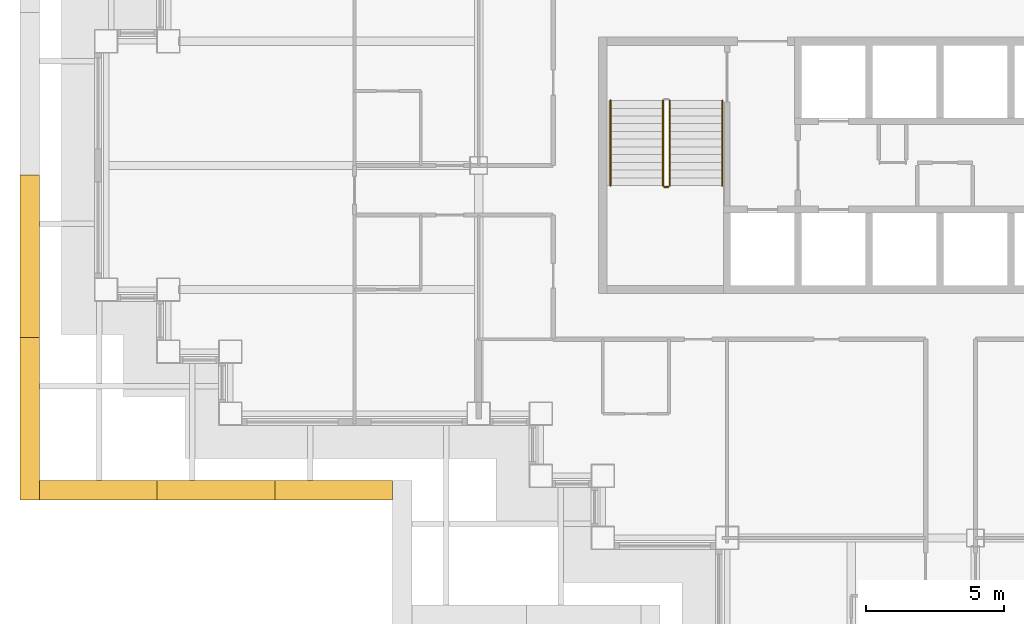
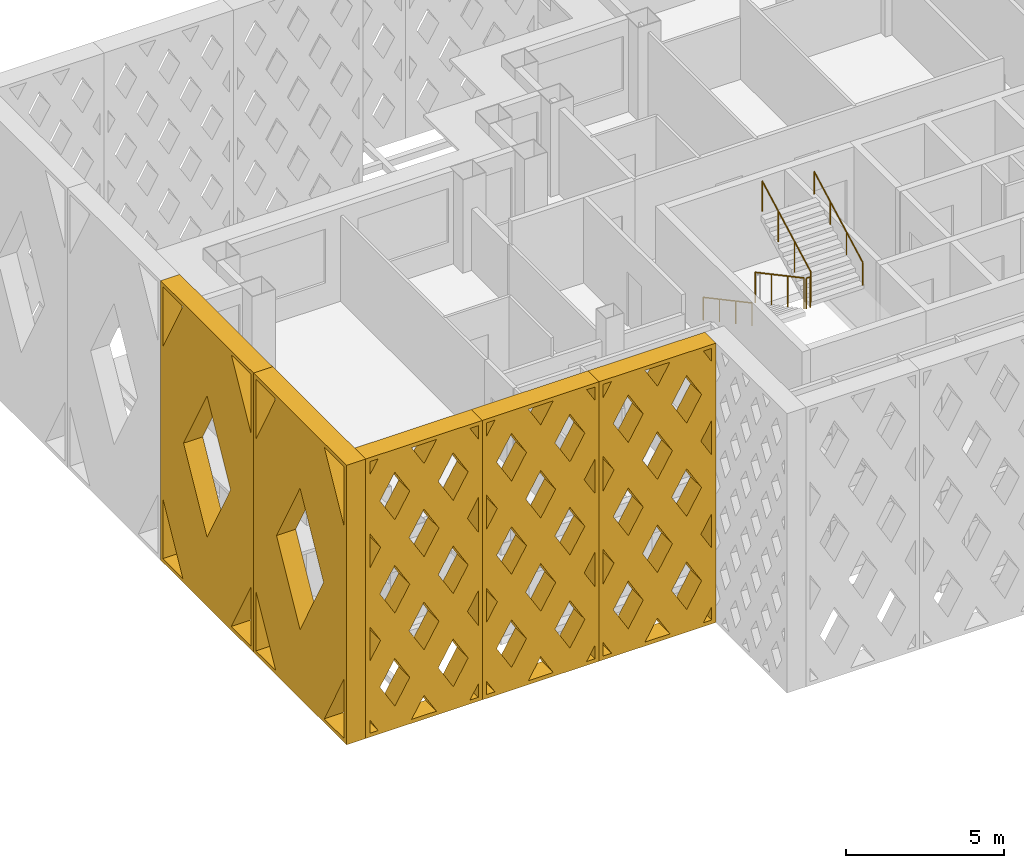
# One storey, part 16 of 21: 5 railings, 5 shading devices.
"""IFC4 building model written with IfcOpenShell, lengths in metres."""

from ifc_helpers import new_model, si_unit, direction, frame, origin, origin_2d, place, context, subcontext, project, spatial, polyline, circle, outline, extrude, material, type_object, element, save


model = new_model("IFC4")

# Units and contexts
model_context = context("Model", 3, precision=1e-05, world=origin(), true_north=direction((0.0, 1.0)))
body_context = subcontext(model_context, "Body", "Model", "MODEL_VIEW")
ifc_project = project(units=[si_unit("LENGTHUNIT", "METRE"), si_unit("AREAUNIT", "SQUARE_METRE"), si_unit("VOLUMEUNIT", "CUBIC_METRE"), si_unit("PLANEANGLEUNIT", "RADIAN"), si_unit("MASSUNIT", "GRAM", prefix="KILO")], contexts=[model_context])

# Site, building, storey
site_placement = place(None, origin())
site = spatial("IfcSite", under=ifc_project, at=site_placement, CompositionType="ELEMENT")
building_placement = place(site_placement, origin())
building = spatial("IfcBuilding", under=site, at=building_placement, Name="Caravel Reach Hotel and Residences", CompositionType="ELEMENT")
storey_placement = place(building_placement, frame((0.0, 0.0, 129.60009765625)))
storey = spatial("IfcBuildingStorey", under=building, at=storey_placement, Name="L32", CompositionType="ELEMENT", Elevation=129.60009765625)

# Shading devices
ifc_material_1 = material(Name="Black powder-coated aluminium", Category="aluminium")
shading_device_type_1 = type_object("IfcShadingDeviceType", Name="Diamond lattice screen panel 4267 x 10800", PredefinedType="USERDEFINED", material=ifc_material_1)
shading_device_1_placement = place(storey_placement, frame((-2.425048828125, 15.574951171875, 0.0), z_axis=(0.0, -1.0, 0.0), x_axis=(1.0, 0.0, 0.0)))
element("IfcShadingDevice", 1, at=shading_device_1_placement, inside=storey, type_object=shading_device_type_1, Name="Lattice screen L32-L34 18.1", ObjectType="SCREEN", PredefinedType="USERDEFINED", context=body_context, shape_type="SweptSolid", body=[
    extrude(outline(polyline([(0.0, 0.0), (4.2666015625, 0.0), (4.2666015625, 10.800048828125), (0.0, 10.800048828125), (0.0, 0.0)]), holes=[polyline([(0.457275390625, 0.14990234375), (0.14990234375, 0.66845703125), (0.14990234375, 0.14990234375), (0.457275390625, 0.14990234375)]), polyline([(0.546142578125, 3.60009765625), (0.14990234375, 4.2685546875), (0.14990234375, 2.931396484375), (0.546142578125, 3.60009765625)]), polyline([(0.546142578125, 7.199951171875), (0.14990234375, 7.868408203125), (0.14990234375, 6.531494140625), (0.546142578125, 7.199951171875)]), polyline([(0.14990234375, 10.131591796875), (0.457275390625, 10.64990234375), (0.14990234375, 10.64990234375), (0.14990234375, 10.131591796875)]), polyline([(1.066650390625, 2.7216796875), (0.5205078125, 1.800048828125), (1.066650390625, 0.87841796875), (1.61279296875, 1.800048828125), (1.066650390625, 2.7216796875)]), polyline([(1.066650390625, 6.321533203125), (0.5205078125, 5.39990234375), (1.066650390625, 4.478271484375), (1.61279296875, 5.39990234375), (1.066650390625, 6.321533203125)]), polyline([(1.066650390625, 9.921630859375), (0.5205078125, 9.0), (1.066650390625, 8.078369140625), (1.61279296875, 9.0), (1.066650390625, 9.921630859375)]), polyline([(2.13330078125, 0.921630859375), (1.676025390625, 0.14990234375), (2.590576171875, 0.14990234375), (2.13330078125, 0.921630859375)]), polyline([(2.13330078125, 4.521728515625), (1.587158203125, 3.60009765625), (2.13330078125, 2.678466796875), (2.679443359375, 3.60009765625), (2.13330078125, 4.521728515625)]), polyline([(2.13330078125, 8.12158203125), (1.587158203125, 7.199951171875), (2.13330078125, 6.2783203125), (2.679443359375, 7.199951171875), (2.13330078125, 8.12158203125)]), polyline([(2.13330078125, 9.87841796875), (2.590576171875, 10.64990234375), (1.676025390625, 10.64990234375), (2.13330078125, 9.87841796875)]), polyline([(3.199951171875, 2.7216796875), (2.65380859375, 1.800048828125), (3.199951171875, 0.87841796875), (3.74609375, 1.800048828125), (3.199951171875, 2.7216796875)]), polyline([(3.199951171875, 6.321533203125), (2.65380859375, 5.39990234375), (3.199951171875, 4.478271484375), (3.74609375, 5.39990234375), (3.199951171875, 6.321533203125)]), polyline([(3.199951171875, 9.921630859375), (2.65380859375, 9.0), (3.199951171875, 8.078369140625), (3.74609375, 9.0), (3.199951171875, 9.921630859375)]), polyline([(4.11669921875, 0.66845703125), (3.809326171875, 0.14990234375), (4.11669921875, 0.14990234375), (4.11669921875, 0.66845703125)]), polyline([(3.720458984375, 3.60009765625), (4.11669921875, 2.931396484375), (4.11669921875, 4.2685546875), (3.720458984375, 3.60009765625)]), polyline([(3.720458984375, 7.199951171875), (4.11669921875, 6.531494140625), (4.11669921875, 7.868408203125), (3.720458984375, 7.199951171875)]), polyline([(3.809326171875, 10.64990234375), (4.11669921875, 10.131591796875), (4.11669921875, 10.64990234375), (3.809326171875, 10.64990234375)])]), origin(), (0.0, 0.0, 1.0), 0.699951171875),
])
shading_device_2_placement = place(storey_placement, frame((1.841552734375, 15.574951171875, 0.0), z_axis=(0.0, -1.0, 0.0), x_axis=(1.0, 0.0, 0.0)))
element("IfcShadingDevice", 2, at=shading_device_2_placement, inside=storey, type_object=shading_device_type_1, Name="Lattice screen L32-L34 18.2", ObjectType="SCREEN", PredefinedType="USERDEFINED", context=body_context, shape_type="SweptSolid", body=[
    extrude(outline(polyline([(0.0, 0.0), (4.2666015625, 0.0), (4.2666015625, 10.800048828125), (0.0, 10.800048828125), (0.0, 0.0)]), holes=[polyline([(0.457275390625, 0.14990234375), (0.14990234375, 0.66845703125), (0.14990234375, 0.14990234375), (0.457275390625, 0.14990234375)]), polyline([(0.546142578125, 3.60009765625), (0.14990234375, 4.2685546875), (0.14990234375, 2.931396484375), (0.546142578125, 3.60009765625)]), polyline([(0.546142578125, 7.199951171875), (0.14990234375, 7.868408203125), (0.14990234375, 6.531494140625), (0.546142578125, 7.199951171875)]), polyline([(0.14990234375, 10.131591796875), (0.457275390625, 10.64990234375), (0.14990234375, 10.64990234375), (0.14990234375, 10.131591796875)]), polyline([(1.066650390625, 2.7216796875), (0.5205078125, 1.800048828125), (1.066650390625, 0.87841796875), (1.61279296875, 1.800048828125), (1.066650390625, 2.7216796875)]), polyline([(1.066650390625, 6.321533203125), (0.5205078125, 5.39990234375), (1.066650390625, 4.478271484375), (1.61279296875, 5.39990234375), (1.066650390625, 6.321533203125)]), polyline([(1.066650390625, 9.921630859375), (0.5205078125, 9.0), (1.066650390625, 8.078369140625), (1.61279296875, 9.0), (1.066650390625, 9.921630859375)]), polyline([(2.13330078125, 0.921630859375), (1.676025390625, 0.14990234375), (2.590576171875, 0.14990234375), (2.13330078125, 0.921630859375)]), polyline([(2.13330078125, 4.521728515625), (1.587158203125, 3.60009765625), (2.13330078125, 2.678466796875), (2.679443359375, 3.60009765625), (2.13330078125, 4.521728515625)]), polyline([(2.13330078125, 8.12158203125), (1.587158203125, 7.199951171875), (2.13330078125, 6.2783203125), (2.679443359375, 7.199951171875), (2.13330078125, 8.12158203125)]), polyline([(2.13330078125, 9.87841796875), (2.590576171875, 10.64990234375), (1.676025390625, 10.64990234375), (2.13330078125, 9.87841796875)]), polyline([(3.199951171875, 2.7216796875), (2.65380859375, 1.800048828125), (3.199951171875, 0.87841796875), (3.74609375, 1.800048828125), (3.199951171875, 2.7216796875)]), polyline([(3.199951171875, 6.321533203125), (2.65380859375, 5.39990234375), (3.199951171875, 4.478271484375), (3.74609375, 5.39990234375), (3.199951171875, 6.321533203125)]), polyline([(3.199951171875, 9.921630859375), (2.65380859375, 9.0), (3.199951171875, 8.078369140625), (3.74609375, 9.0), (3.199951171875, 9.921630859375)]), polyline([(4.11669921875, 0.66845703125), (3.809326171875, 0.14990234375), (4.11669921875, 0.14990234375), (4.11669921875, 0.66845703125)]), polyline([(3.720458984375, 3.60009765625), (4.11669921875, 2.931396484375), (4.11669921875, 4.2685546875), (3.720458984375, 3.60009765625)]), polyline([(3.720458984375, 7.199951171875), (4.11669921875, 6.531494140625), (4.11669921875, 7.868408203125), (3.720458984375, 7.199951171875)]), polyline([(3.809326171875, 10.64990234375), (4.11669921875, 10.131591796875), (4.11669921875, 10.64990234375), (3.809326171875, 10.64990234375)])]), origin(), (0.0, 0.0, 1.0), 0.699951171875),
])
shading_device_3_placement = place(storey_placement, frame((6.1083984375, 15.574951171875, 0.0), z_axis=(0.0, -1.0, 0.0), x_axis=(1.0, 0.0, 0.0)))
element("IfcShadingDevice", 3, at=shading_device_3_placement, inside=storey, type_object=shading_device_type_1, Name="Lattice screen L32-L34 18.3", ObjectType="SCREEN", PredefinedType="USERDEFINED", context=body_context, shape_type="SweptSolid", body=[
    extrude(outline(polyline([(0.0, 0.0), (4.2666015625, 0.0), (4.2666015625, 10.800048828125), (0.0, 10.800048828125), (0.0, 0.0)]), holes=[polyline([(0.457275390625, 0.14990234375), (0.14990234375, 0.66845703125), (0.14990234375, 0.14990234375), (0.457275390625, 0.14990234375)]), polyline([(0.546142578125, 3.60009765625), (0.14990234375, 4.2685546875), (0.14990234375, 2.931396484375), (0.546142578125, 3.60009765625)]), polyline([(0.546142578125, 7.199951171875), (0.14990234375, 7.868408203125), (0.14990234375, 6.531494140625), (0.546142578125, 7.199951171875)]), polyline([(0.14990234375, 10.131591796875), (0.457275390625, 10.64990234375), (0.14990234375, 10.64990234375), (0.14990234375, 10.131591796875)]), polyline([(1.066650390625, 2.7216796875), (0.5205078125, 1.800048828125), (1.066650390625, 0.87841796875), (1.61279296875, 1.800048828125), (1.066650390625, 2.7216796875)]), polyline([(1.066650390625, 6.321533203125), (0.5205078125, 5.39990234375), (1.066650390625, 4.478271484375), (1.61279296875, 5.39990234375), (1.066650390625, 6.321533203125)]), polyline([(1.066650390625, 9.921630859375), (0.5205078125, 9.0), (1.066650390625, 8.078369140625), (1.61279296875, 9.0), (1.066650390625, 9.921630859375)]), polyline([(2.13330078125, 0.921630859375), (1.676025390625, 0.14990234375), (2.590576171875, 0.14990234375), (2.13330078125, 0.921630859375)]), polyline([(2.13330078125, 4.521728515625), (1.587158203125, 3.60009765625), (2.13330078125, 2.678466796875), (2.679443359375, 3.60009765625), (2.13330078125, 4.521728515625)]), polyline([(2.13330078125, 8.12158203125), (1.587158203125, 7.199951171875), (2.13330078125, 6.2783203125), (2.679443359375, 7.199951171875), (2.13330078125, 8.12158203125)]), polyline([(2.13330078125, 9.87841796875), (2.590576171875, 10.64990234375), (1.676025390625, 10.64990234375), (2.13330078125, 9.87841796875)]), polyline([(3.199951171875, 2.7216796875), (2.65380859375, 1.800048828125), (3.199951171875, 0.87841796875), (3.74609375, 1.800048828125), (3.199951171875, 2.7216796875)]), polyline([(3.199951171875, 6.321533203125), (2.65380859375, 5.39990234375), (3.199951171875, 4.478271484375), (3.74609375, 5.39990234375), (3.199951171875, 6.321533203125)]), polyline([(3.199951171875, 9.921630859375), (2.65380859375, 9.0), (3.199951171875, 8.078369140625), (3.74609375, 9.0), (3.199951171875, 9.921630859375)]), polyline([(4.11669921875, 0.66845703125), (3.809326171875, 0.14990234375), (4.11669921875, 0.14990234375), (4.11669921875, 0.66845703125)]), polyline([(3.720458984375, 3.60009765625), (4.11669921875, 2.931396484375), (4.11669921875, 4.2685546875), (3.720458984375, 3.60009765625)]), polyline([(3.720458984375, 7.199951171875), (4.11669921875, 6.531494140625), (4.11669921875, 7.868408203125), (3.720458984375, 7.199951171875)]), polyline([(3.809326171875, 10.64990234375), (4.11669921875, 10.131591796875), (4.11669921875, 10.64990234375), (3.809326171875, 10.64990234375)])]), origin(), (0.0, 0.0, 1.0), 0.699951171875),
])
ifc_material_2 = material(Name="Black powder-coated aluminium", Category="aluminium")
shading_device_type_2 = type_object("IfcShadingDeviceType", Name="Diamond lattice screen panel 5887 x 10800", PredefinedType="USERDEFINED", material=ifc_material_2)
for number, where, z_axis, x_axis, name in (
    (4, (-2.425048828125, 26.64990234375, 0.0), (-1.0, 0.0, 0.0), (0.0, -1.0, 0.0), "Lattice screen L32-L34 17.3"),
    (5, (-2.425048828125, 20.762451171875, 0.0), (-1.0, 0.0, 0.0), (0.0, -1.0, 0.0), "Lattice screen L32-L34 17.4"),
):
    element("IfcShadingDevice", number, at=place(storey_placement, frame(where, z_axis=z_axis, x_axis=x_axis)), inside=storey, type_object=shading_device_type_2, Name=name, ObjectType="SCREEN", PredefinedType="USERDEFINED", context=body_context, shape_type="SweptSolid", body=[
        extrude(outline(polyline([(0.0, 0.0), (5.887451171875, 0.0), (5.887451171875, 10.800048828125), (0.0, 10.800048828125), (0.0, 0.0)]), holes=[polyline([(1.409912109375, 0.14990234375), (0.14990234375, 2.46142578125), (0.14990234375, 0.14990234375), (1.409912109375, 0.14990234375)]), polyline([(0.14990234375, 8.338623046875), (1.409912109375, 10.64990234375), (0.14990234375, 10.64990234375), (0.14990234375, 8.338623046875)]), polyline([(2.94384765625, 8.136474609375), (1.451904296875, 5.39990234375), (2.94384765625, 2.66357421875), (4.435546875, 5.39990234375), (2.94384765625, 8.136474609375)]), polyline([(5.737548828125, 2.46142578125), (4.4775390625, 0.14990234375), (5.737548828125, 0.14990234375), (5.737548828125, 2.46142578125)]), polyline([(4.4775390625, 10.64990234375), (5.737548828125, 8.338623046875), (5.737548828125, 10.64990234375), (4.4775390625, 10.64990234375)])]), origin(), (0.0, 0.0, 1.0), 0.699951171875),
    ])

# Railings
ifc_material_3 = material(Name="Steel balustrade with glass infill", Category="steel")
railing_type_1 = type_object("IfcRailingType", Name="Guard 1200", PredefinedType="GUARDRAIL", material=ifc_material_3)
railing_1_placement = place(storey_placement, frame((20.175048828125, 29.35009765625, 0.14990234375)))
element("IfcRailing", 6, at=railing_1_placement, inside=storey, type_object=railing_type_1, Name="L32 ST-A stair guard 1", PredefinedType="GUARDRAIL", context=body_context, shape_type="SweptSolid", body=[
    extrude(circle(Radius=0.02392578125, at=origin_2d()), frame((0.0, 0.0, 1.17578125), z_axis=(0.0, -0.881496589024, 0.472190389079), x_axis=(1.0, 0.0, 0.0)), (0.0, 0.0, 1.0), 3.494140625),
    extrude(circle(Radius=0.02099609375, at=origin_2d()), origin(), (0.0, 0.0, 1.0), 1.15185546875),
    extrude(circle(Radius=0.02099609375, at=origin_2d()), frame((0.0, -1.026611328125, 0.550048828125)), (0.0, 0.0, 1.0), 1.15185546875),
    extrude(circle(Radius=0.02099609375, at=origin_2d()), frame((0.0, -2.053466796875, 1.099853515625)), (0.0, 0.0, 1.0), 1.15185546875),
    extrude(circle(Radius=0.02099609375, at=origin_2d()), frame((0.0, -3.080078125, 1.64990234375)), (0.0, 0.0, 1.0), 1.15185546875),
])
railing_2_placement = place(storey_placement, frame((20.22509765625, 26.219970703125, 1.7998046875)))
element("IfcRailing", 7, at=railing_2_placement, inside=storey, type_object=railing_type_1, Name="L32 ST-A stair guard 2", PredefinedType="GUARDRAIL", context=body_context, shape_type="SweptSolid", body=[
    extrude(circle(Radius=0.02392578125, at=origin_2d()), frame((0.0, 0.0, 1.17578125), z_axis=(1.0, 0.0, 0.0), x_axis=(0.0, 1.0, 0.0)), (0.0, 0.0, 1.0), 0.14990234375),
    extrude(circle(Radius=0.02099609375, at=origin_2d()), origin(), (0.0, 0.0, 1.0), 1.15185546875),
    extrude(circle(Radius=0.02099609375, at=origin_2d()), frame((0.14990234375, 0.0, 0.0)), (0.0, 0.0, 1.0), 1.15185546875),
])
railing_3_placement = place(storey_placement, frame((20.425048828125, 26.27001953125, 1.949951171875)))
element("IfcRailing", 8, at=railing_3_placement, inside=storey, type_object=railing_type_1, Name="L32 ST-A stair guard 3", PredefinedType="GUARDRAIL", context=body_context, shape_type="SweptSolid", body=[
    extrude(circle(Radius=0.02392578125, at=origin_2d()), frame((0.0, 0.0, 1.17578125), z_axis=(0.0, 0.881496589024, 0.472190389079), x_axis=(-1.0, 0.0, 0.0)), (0.0, 0.0, 1.0), 3.494140625),
    extrude(circle(Radius=0.02099609375, at=origin_2d()), origin(), (0.0, 0.0, 1.0), 1.15185546875),
    extrude(circle(Radius=0.02099609375, at=origin_2d()), frame((0.0, 1.026611328125, 0.550048828125)), (0.0, 0.0, 1.0), 1.15185546875),
    extrude(circle(Radius=0.02099609375, at=origin_2d()), frame((0.0, 2.053466796875, 1.099853515625)), (0.0, 0.0, 1.0), 1.15185546875),
    extrude(circle(Radius=0.02099609375, at=origin_2d()), frame((0.0, 3.080078125, 1.64990234375)), (0.0, 0.0, 1.0), 1.15185546875),
])
ifc_material_4 = material(Name="Stainless steel handrail", Category="steel")
railing_type_2 = type_object("IfcRailingType", Name="Handrail 900", PredefinedType="HANDRAIL", material=ifc_material_4)
railing_4_placement = place(storey_placement, frame((18.27490234375, 29.35009765625, 0.14990234375)))
element("IfcRailing", 9, at=railing_4_placement, inside=storey, type_object=railing_type_2, Name="L32 ST-A stair handrail 1", PredefinedType="HANDRAIL", context=body_context, shape_type="SweptSolid", body=[
    extrude(circle(Radius=0.02392578125, at=origin_2d()), frame((0.0, 0.0, 0.8759765625), z_axis=(0.0, -0.881496589024, 0.472190389079), x_axis=(1.0, 0.0, 0.0)), (0.0, 0.0, 1.0), 3.494140625),
    extrude(circle(Radius=0.02099609375, at=origin_2d()), origin(), (0.0, 0.0, 1.0), 0.851806640625),
    extrude(circle(Radius=0.02099609375, at=origin_2d()), frame((0.0, -1.026611328125, 0.550048828125)), (0.0, 0.0, 1.0), 0.851806640625),
    extrude(circle(Radius=0.02099609375, at=origin_2d()), frame((0.0, -2.053466796875, 1.099853515625)), (0.0, 0.0, 1.0), 0.851806640625),
    extrude(circle(Radius=0.02099609375, at=origin_2d()), frame((0.0, -3.080078125, 1.64990234375)), (0.0, 0.0, 1.0), 0.851806640625),
])
railing_5_placement = place(storey_placement, frame((22.324951171875, 26.27001953125, 1.949951171875)))
element("IfcRailing", 10, at=railing_5_placement, inside=storey, type_object=railing_type_2, Name="L32 ST-A stair handrail 2", PredefinedType="HANDRAIL", context=body_context, shape_type="SweptSolid", body=[
    extrude(circle(Radius=0.02392578125, at=origin_2d()), frame((0.0, 0.0, 0.8759765625), z_axis=(0.0, 0.881496589024, 0.472190389079), x_axis=(-1.0, 0.0, 0.0)), (0.0, 0.0, 1.0), 3.494140625),
    extrude(circle(Radius=0.02099609375, at=origin_2d()), origin(), (0.0, 0.0, 1.0), 0.851806640625),
    extrude(circle(Radius=0.02099609375, at=origin_2d()), frame((0.0, 1.026611328125, 0.550048828125)), (0.0, 0.0, 1.0), 0.851806640625),
    extrude(circle(Radius=0.02099609375, at=origin_2d()), frame((0.0, 2.053466796875, 1.099853515625)), (0.0, 0.0, 1.0), 0.851806640625),
    extrude(circle(Radius=0.02099609375, at=origin_2d()), frame((0.0, 3.080078125, 1.64990234375)), (0.0, 0.0, 1.0), 0.851806640625),
])

save(model, "model.ifc")
